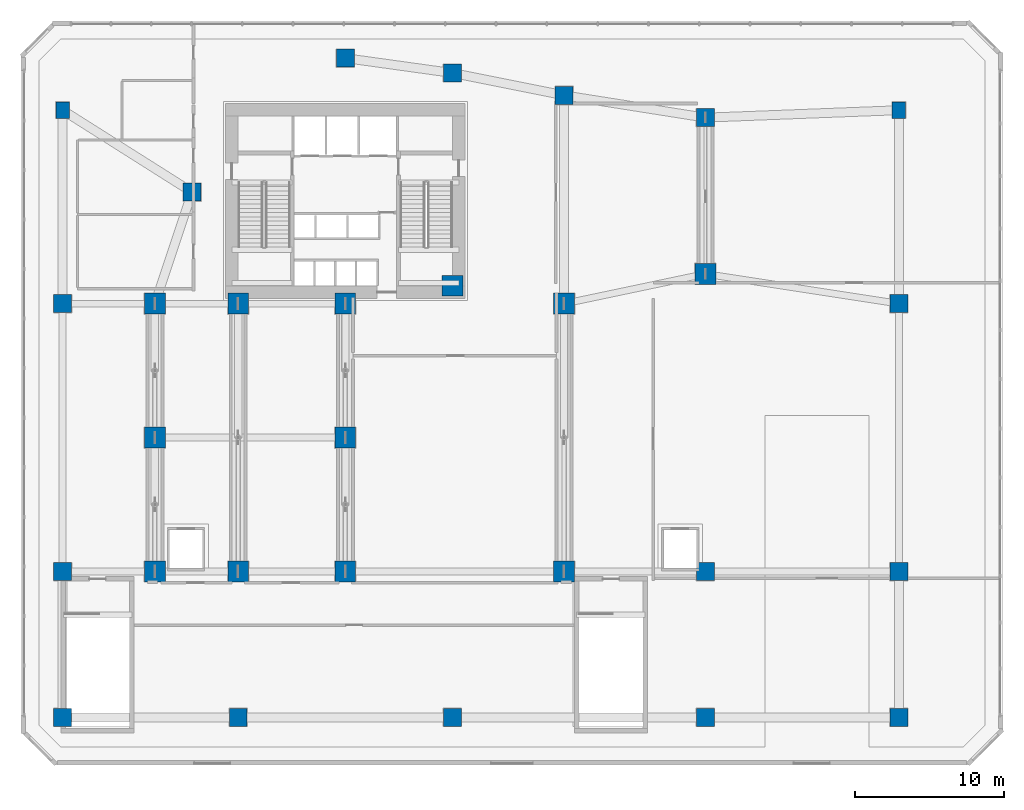
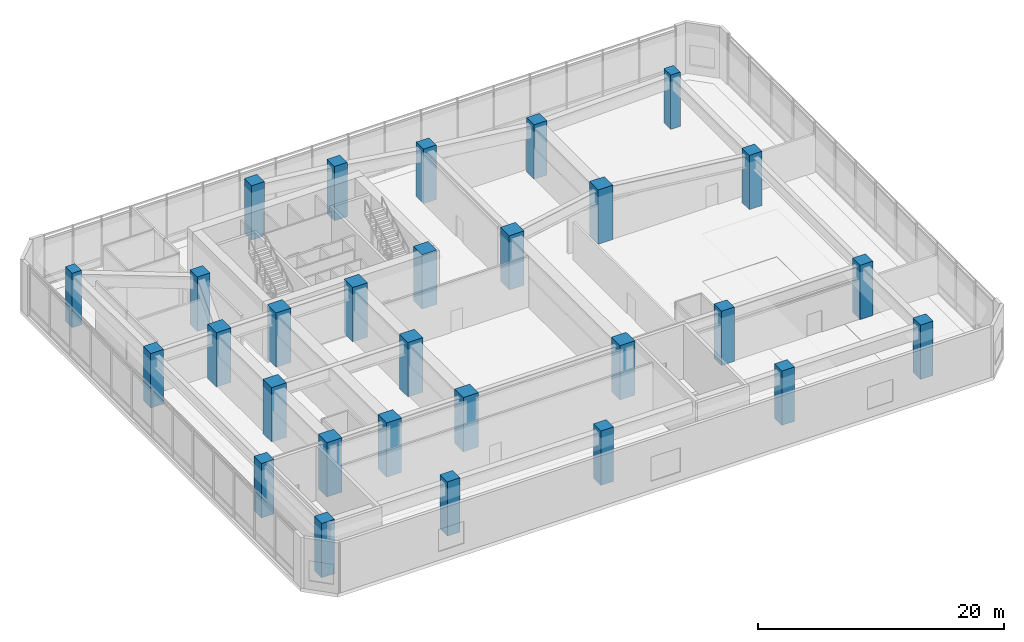
# One storey, part 1 of 21: 29 columns.
"""IFC4 building model written with IfcOpenShell, lengths in metres."""

from ifc_helpers import new_model, si_unit, direction, frame, origin, origin_2d, place, context, subcontext, project, spatial, rectangle, extrude, source, transform, mapped, material, material_profile, profile_set, type_object, element, save


model = new_model("IFC4")

# Units and contexts
model_context = context("Model", 3, precision=1e-05, world=origin(), true_north=direction((0.0, 1.0)))
body_context = subcontext(model_context, "Body", "Model", "MODEL_VIEW")
ifc_project = project(units=[si_unit("LENGTHUNIT", "METRE"), si_unit("AREAUNIT", "SQUARE_METRE"), si_unit("VOLUMEUNIT", "CUBIC_METRE"), si_unit("PLANEANGLEUNIT", "RADIAN"), si_unit("MASSUNIT", "GRAM", prefix="KILO")], contexts=[model_context])

# Site, building, storey
site_placement = place(None, origin())
site = spatial("IfcSite", under=ifc_project, at=site_placement, CompositionType="ELEMENT")
building_placement = place(site_placement, origin())
building = spatial("IfcBuilding", under=site, at=building_placement, Name="Calvemar Wedge Station Tower", CompositionType="ELEMENT")
storey_placement = place(building_placement, frame((0.0, 0.0, 21.60009765625)))
storey = spatial("IfcBuildingStorey", under=building, at=storey_placement, Name="L05", CompositionType="ELEMENT", Elevation=21.60009765625)

# Columns
ifc_material_1 = material(Name="Concrete C70", Category="concrete")
ifc_material_profile_1 = material_profile(ifc_material_1, rectangle(XDim=1.199951171875, YDim=1.199951171875, at=origin_2d()), Name="RC1200x1200")
ifc_profile_set_1 = profile_set([ifc_material_profile_1], Name="Concrete C70")
column_type_1 = type_object("IfcColumnType", Name="COL-C2-1200", PredefinedType="COLUMN", material=ifc_profile_set_1)
shared_shape_1 = source(origin(), body_context, "Body", "SweptSolid", [
    extrude(rectangle(XDim=1.199951171875, YDim=1.199951171875, at=origin_2d()), origin(), (0.0, 0.0, 1.0), 5.39990234375),
])
for number, where, z_axis, x_axis, name in (
    (1, (4.800048828125, 5.199951171875, 0.0), (0.0, 0.0, 1.0), (1.0, 0.0, 0.0), "Storey L05 Column P-S1"),
    (2, (16.60009765625, 5.199951171875, 0.0), (0.0, 0.0, 1.0), (1.0, 0.0, 0.0), "Storey L05 Column P-S2"),
    (3, (31.0, 5.199951171875, 0.0), (0.0, 0.0, 1.0), (1.0, 0.0, 0.0), "Storey L05 Column P-S3"),
    (4, (48.0, 5.199951171875, 0.0), (0.0, 0.0, 1.0), (1.0, 0.0, 0.0), "Storey L05 Column P-S4"),
    (5, (61.0, 5.199951171875, 0.0), (0.0, 0.0, 1.0), (1.0, 0.0, 0.0), "Storey L05 Column P-S5"),
    (6, (4.800048828125, 15.0, 0.0), (0.0, 0.0, 1.0), (1.0, 0.0, 0.0), "Storey L05 Column P-CS0"),
    (7, (48.0, 15.0, 0.0), (0.0, 0.0, 1.0), (1.0, 0.0, 0.0), "Storey L05 Column P-CS5"),
    (8, (61.0, 15.0, 0.0), (0.0, 0.0, 1.0), (1.0, 0.0, 0.0), "Storey L05 Column P-CS6"),
    (9, (4.800048828125, 33.0, 0.0), (0.0, 0.0, 1.0), (1.0, 0.0, 0.0), "Storey L05 Column P-CN0"),
    (10, (61.0, 33.0, 0.0), (0.0, 0.0, 1.0), (1.0, 0.0, 0.0), "Storey L05 Column P-CN7"),
    (11, (13.5, 40.5, 0.0), (0.0, 0.0, 1.0), (1.0, 0.0, 0.0), "Storey L05 Column P-N1"),
    (12, (23.800048828125, 49.5, 0.0), (0.0, 0.0, 1.0), (1.0, 0.0, 0.0), "Storey L05 Column P-N2"),
    (13, (31.0, 48.5, 0.0), (0.0, 0.0, 1.0), (1.0, 0.0, 0.0), "Storey L05 Column P-N3"),
    (14, (38.5, 47.0, 0.0), (0.0, 0.0, 1.0), (1.0, 0.0, 0.0), "Storey L05 Column P-N4"),
    (15, (48.0, 45.5, 0.0), (0.0, 0.0, 1.0), (1.0, 0.0, 0.0), "Storey L05 Column P-N5"),
):
    element("IfcColumn", number, at=place(storey_placement, frame(where, z_axis=z_axis, x_axis=x_axis)), inside=storey, type_object=column_type_1, Name=name, PredefinedType="COLUMN", context=body_context, shape_type="MappedRepresentation", body=[
        mapped(shared_shape_1, transform((0.0, 0.0, 0.0), scale=1.0)),
    ])
ifc_material_2 = material(Name="Concrete C80", Category="concrete")
ifc_material_profile_2 = material_profile(ifc_material_2, rectangle(XDim=1.39990234375, YDim=1.39990234375, at=origin_2d()), Name="RC1400x1400")
ifc_profile_set_2 = profile_set([ifc_material_profile_2], Name="Concrete C80")
column_type_2 = type_object("IfcColumnType", Name="COL-C1-1400", PredefinedType="COLUMN", material=ifc_profile_set_2)
shared_shape_2 = source(origin(), body_context, "Body", "SweptSolid", [
    extrude(rectangle(XDim=1.39990234375, YDim=1.39990234375, at=origin_2d()), origin(), (0.0, 0.0, 1.0), 5.39990234375),
])
for number, where, z_axis, x_axis, name in (
    (16, (11.0, 15.0, 0.0), (0.0, 0.0, 1.0), (1.0, 0.0, 0.0), "Storey L05 Column P-CS1"),
    (17, (16.60009765625, 15.0, 0.0), (0.0, 0.0, 1.0), (1.0, 0.0, 0.0), "Storey L05 Column P-CS2"),
    (18, (23.800048828125, 15.0, 0.0), (0.0, 0.0, 1.0), (1.0, 0.0, 0.0), "Storey L05 Column P-CS3"),
    (19, (38.5, 15.0, 0.0), (0.0, 0.0, 1.0), (1.0, 0.0, 0.0), "Storey L05 Column P-CS4"),
    (20, (11.0, 24.0, 0.0), (0.0, 0.0, 1.0), (1.0, 0.0, 0.0), "Storey L05 Column P-CM1"),
    (21, (23.800048828125, 24.0, 0.0), (0.0, 0.0, 1.0), (1.0, 0.0, 0.0), "Storey L05 Column P-CM2"),
    (22, (11.0, 33.0, 0.0), (0.0, 0.0, 1.0), (1.0, 0.0, 0.0), "Storey L05 Column P-CN1"),
    (23, (16.60009765625, 33.0, 0.0), (0.0, 0.0, 1.0), (1.0, 0.0, 0.0), "Storey L05 Column P-CN2"),
    (24, (23.800048828125, 33.0, 0.0), (0.0, 0.0, 1.0), (1.0, 0.0, 0.0), "Storey L05 Column P-CN3"),
    (25, (31.0, 34.199951171875, 0.0), (0.0, 0.0, 1.0), (1.0, 0.0, 0.0), "Storey L05 Column P-CN4"),
    (26, (38.5, 33.0, 0.0), (0.0, 0.0, 1.0), (1.0, 0.0, 0.0), "Storey L05 Column P-CN5"),
    (27, (48.0, 35.0, 0.0), (0.0, 0.0, 1.0), (1.0, 0.0, 0.0), "Storey L05 Column P-CN6"),
):
    element("IfcColumn", number, at=place(storey_placement, frame(where, z_axis=z_axis, x_axis=x_axis)), inside=storey, type_object=column_type_2, Name=name, PredefinedType="COLUMN", context=body_context, shape_type="MappedRepresentation", body=[
        mapped(shared_shape_2, transform((0.0, 0.0, 0.0), scale=1.0)),
    ])
ifc_material_profile_3 = material_profile(ifc_material_1, rectangle(XDim=0.89990234375, YDim=1.10009765625, at=origin_2d()), Name="RC1100x900")
ifc_profile_set_3 = profile_set([ifc_material_profile_3], Name="Concrete C70")
column_type_3 = type_object("IfcColumnType", Name="COL-C3-1100x900", PredefinedType="COLUMN", material=ifc_profile_set_3)
shared_shape_3 = source(origin(), body_context, "Body", "SweptSolid", [
    extrude(rectangle(XDim=0.89990234375, YDim=1.10009765625, at=origin_2d()), origin(), (0.0, 0.0, 1.0), 5.39990234375),
])
for number, where, z_axis, x_axis, name in (
    (28, (4.800048828125, 46.0, 0.0), (0.0, 0.0, 1.0), (1.0, 0.0, 0.0), "Storey L05 Column P-N0"),
    (29, (61.0, 46.0, 0.0), (0.0, 0.0, 1.0), (1.0, 0.0, 0.0), "Storey L05 Column P-N6"),
):
    element("IfcColumn", number, at=place(storey_placement, frame(where, z_axis=z_axis, x_axis=x_axis)), inside=storey, type_object=column_type_3, Name=name, PredefinedType="COLUMN", context=body_context, shape_type="MappedRepresentation", body=[
        mapped(shared_shape_3, transform((0.0, 0.0, 0.0), scale=1.0)),
    ])

save(model, "model.ifc")
